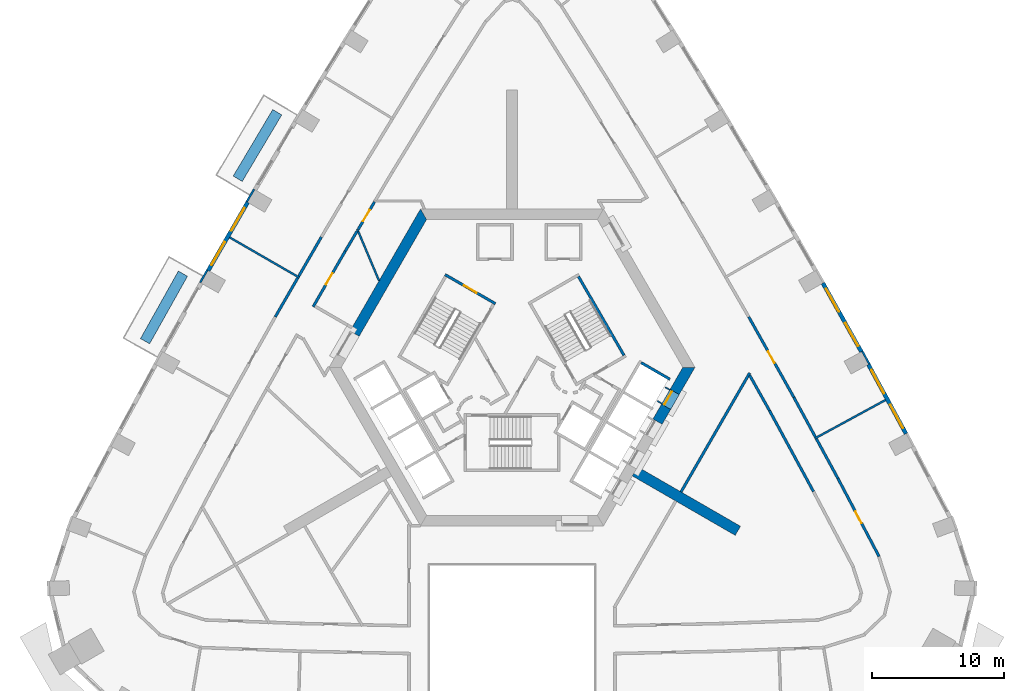
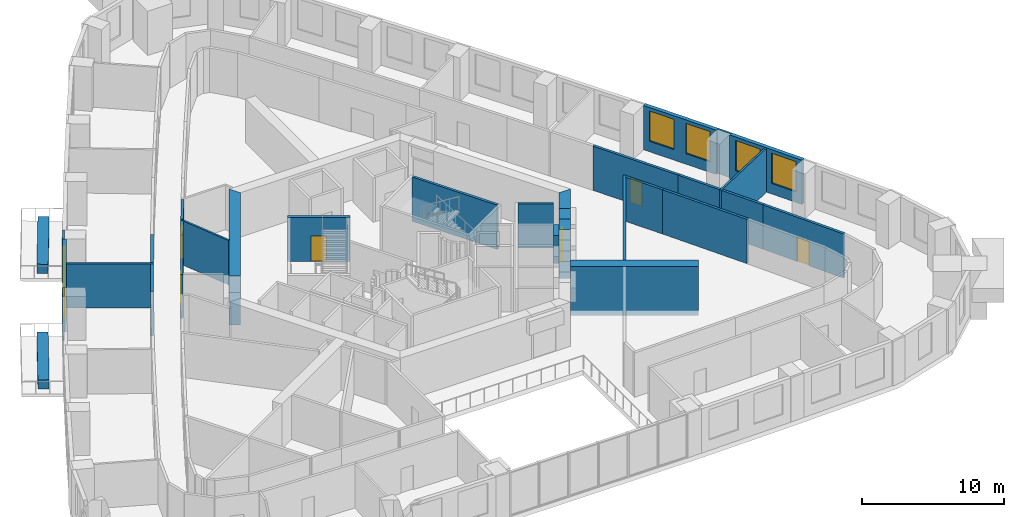
# One storey, part 8 of 15: 32 walls, 6 doors, 6 windows, 12 openings.
"""IFC4 building model written with IfcOpenShell, lengths in metres."""

from ifc_helpers import new_model, si_unit, direction, frame, frame_2d, origin, place, context, subcontext, project, spatial, polyline, rectangle, outline, extrude, material, layer, layer_set, type_object, element, fill, save


model = new_model("IFC4")

# Units and contexts
model_context = context("Model", 3, precision=1e-05, world=origin(), true_north=direction((0.0, 1.0)))
body_context = subcontext(model_context, "Body", "Model", "MODEL_VIEW")
ifc_project = project(units=[si_unit("LENGTHUNIT", "METRE"), si_unit("AREAUNIT", "SQUARE_METRE"), si_unit("VOLUMEUNIT", "CUBIC_METRE"), si_unit("PLANEANGLEUNIT", "RADIAN"), si_unit("MASSUNIT", "GRAM", prefix="KILO")], contexts=[model_context])

# Site, building, storey
site_placement = place(None, origin())
site = spatial("IfcSite", under=ifc_project, at=site_placement, CompositionType="ELEMENT")
building_placement = place(site_placement, origin())
building = spatial("IfcBuilding", under=site, at=building_placement, Name="Entoto Arch Interchange Tower", CompositionType="ELEMENT")
storey_placement = place(building_placement, frame((0.0, 0.0, 171.800048828125)))
storey = spatial("IfcBuildingStorey", under=building, at=storey_placement, Name="L38", CompositionType="ELEMENT", Elevation=171.800048828125)

# Walls
ifc_material_1 = material(Name="Concrete C50/60", Category="concrete")
ifc_layer_1 = layer(ifc_material_1, 0.800048828125)
ifc_layer_set_1 = layer_set([ifc_layer_1], Name="Concrete C50/60")
wall_type_1 = type_object("IfcWallType", Name="Buttress wall 800 C50/60", PredefinedType="SHEAR", material=ifc_layer_set_1)
wall_1_placement = place(storey_placement, frame((9.31005859375, -5.375, -0.400146484375), z_axis=(0.0, 0.0, 1.0), x_axis=(0.866017533419, -0.500013631625, 0.0)))
element("IfcWall", 1, at=wall_1_placement, inside=storey, type_object=wall_type_1, Name="Buttress wall SE L38", PredefinedType="SHEAR", context=body_context, shape_type="SweptSolid", body=[
    extrude(rectangle(XDim=8.999755859375, YDim=0.800048828125, at=frame_2d((4.5, 0.0))), origin(), (0.0, 0.0, 1.0), 4.2001953125),
])
ifc_layer_2 = layer(ifc_material_1, 0.800048828125)
ifc_layer_set_2 = layer_set([ifc_layer_2], Name="Concrete C50/60")
wall_type_2 = type_object("IfcWallType", Name="Core wall 800 C50/60", PredefinedType="SHEAR", material=ifc_layer_set_2)
wall_2_placement = place(storey_placement, frame((0.0, 0.0, -0.400146484375)))
element("IfcWall", 2, at=wall_2_placement, inside=storey, type_object=wall_type_2, Name="Core wall NW L38", PredefinedType="SHEAR", context=body_context, shape_type="SweptSolid", body=[
    extrude(outline(polyline([(-12.26708984375, 5.251953125), (-11.574951171875, 4.85205078125), (-6.466064453125, 13.699951171875), (-6.927978515625, 14.5), (-12.26708984375, 5.251953125)])), origin(), (0.0, 0.0, 1.0), 4.2001953125),
])
wall_3_placement = place(storey_placement, frame((0.0, 0.0, -0.400146484375)))
element("IfcWall", 3, at=wall_3_placement, inside=storey, type_object=wall_type_2, Name="Core wall SE L38", PredefinedType="SHEAR", context=body_context, shape_type="SweptSolid", body=[
    extrude(outline(polyline([(12.01708984375, -0.68603515625), (11.323974609375, -0.285888671875), (10.675048828125, -1.410888671875), (11.366943359375, -1.81103515625), (12.01708984375, -0.68603515625)])), origin(), (0.0, 0.0, 1.0), 4.2001953125),
])
wall_4_placement = place(storey_placement, frame((0.0, 0.0, -0.400146484375)))
element("IfcWall", 4, at=wall_4_placement, inside=storey, type_object=wall_type_2, Name="Core wall SE L38", PredefinedType="SHEAR", context=body_context, shape_type="SweptSolid", body=[
    extrude(outline(polyline([(11.97412109375, 0.840087890625), (12.6669921875, 0.43994140625), (13.85595703125, 2.5), (12.93310546875, 2.5), (11.97412109375, 0.840087890625)])), origin(), (0.0, 0.0, 1.0), 4.2001953125),
])
wall_5_placement = place(storey_placement, frame((0.0, 0.0, 3.599853515625)))
element("IfcWall", 5, at=wall_5_placement, inside=storey, type_object=wall_type_2, Name="Core wall lintel SE L38", PredefinedType="SHEAR", context=body_context, shape_type="SweptSolid", body=[
    extrude(outline(polyline([(12.6669921875, 0.43994140625), (11.97412109375, 0.840087890625), (11.323974609375, -0.285888671875), (12.01708984375, -0.68603515625), (12.6669921875, 0.43994140625)])), origin(), (0.0, 0.0, 1.0), 0.2001953125),
])

# Wall, opening, door
ifc_material_2 = material(Name="Concrete C40/50", Category="concrete")
ifc_layer_3 = layer(ifc_material_2, 1.199951171875)
ifc_layer_set_3 = layer_set([ifc_layer_3], Name="Concrete C40/50")
wall_type_3 = type_object("IfcWallType", Name="LIFT LANDING INFILL WALL", PredefinedType="STANDARD", material=ifc_layer_set_3)
wall_6_placement = place(storey_placement, frame((11.498046875, -0.385009765625, 0.0), z_axis=(0.0, 0.0, 1.0), x_axis=(0.500221244143, 0.865897630733, 0.0)))
wall_6 = element("IfcWall", 6, at=wall_6_placement, inside=storey, type_object=wall_type_3, Name="Lift landing infill wall LR8 L38", PredefinedType="STANDARD", context=body_context, shape_type="SweptSolid", body=[
    extrude(rectangle(XDim=1.29931640625, YDim=1.199951171875, at=frame_2d((0.649658203125, 0.0))), origin(), (0.0, 0.0, 1.0), 2.39990234375),
])
opening_1_placement = place(wall_6_placement, frame((0.10009765625, 0.0, 0.0)))
opening_1 = element("IfcOpeningElement", 7, at=opening_1_placement, cuts=wall_6, Name="Opening LD-LR8-L38", PredefinedType="OPENING", context=body_context, shape_type="SweptSolid", body=[
    extrude(rectangle(XDim=1.10009765625, YDim=2.300048828125, at=frame_2d((0.550048828125, 1.14990234375))), frame((0.0, 0.60986328125, 0.0), z_axis=(0.0, -1.0, 0.0), x_axis=(1.0, 0.0, 0.0)), (0.0, 0.0, 1.0), 1.219970703125),
])
ifc_material_3 = material(Name="Stainless steel 1.4301 panels", Category="steel")
door_type_1 = type_object("IfcDoorType", Name="LIFT LANDING DOOR LD2 1100x2300", OperationType="SLIDING_TO_LEFT", PredefinedType="DOOR", material=ifc_material_3)
door_1_placement = place(opening_1_placement, origin())
door_1 = element("IfcDoor", 8, at=door_1_placement, inside=storey, type_object=door_type_1, Name="Lift landing door LR8 L38", OperationType="SLIDING_TO_LEFT", OverallHeight=2.300048828125, OverallWidth=1.10009765625, PredefinedType="DOOR", context=body_context, shape_type="SweptSolid", body=[
    extrude(rectangle(XDim=1.10009765625, YDim=2.300048828125, at=frame_2d((0.550048828125, 1.14990234375))), frame((0.0, 0.02490234375, 0.0), z_axis=(0.0, -1.0, 0.0), x_axis=(1.0, 0.0, 0.0)), (0.0, 0.0, 1.0), 0.050048828125),
])
fill(opening_1, door_1)

# Walls
ifc_layer_4 = layer(ifc_material_2, 0.199951171875)
ifc_layer_set_4 = layer_set([ifc_layer_4], Name="Concrete C40/50")
wall_type_4 = type_object("IfcWallType", Name="LIFT SHAFT WALL 200", PredefinedType="STANDARD", material=ifc_layer_set_4)
wall_7_placement = place(storey_placement, frame((9.7880859375, 2.85302734375, 0.0), z_axis=(0.0, 0.0, 1.0), x_axis=(0.865998541277, -0.500046524342, 0.0)))
element("IfcWall", 9, at=wall_7_placement, inside=storey, type_object=wall_type_4, Name="Shaft wall SE3 cross 5", PredefinedType="STANDARD", context=body_context, shape_type="SweptSolid", body=[
    extrude(rectangle(XDim=2.499755859375, YDim=0.199951171875, at=frame_2d((1.25, 0.0))), origin(), (0.0, 0.0, 1.0), 3.800048828125),
])
ifc_material_4 = material(Name="Gypsum board partition on steel studs", Category="steel")
ifc_layer_5 = layer(ifc_material_4, 0.14990234375)
ifc_layer_set_5 = layer_set([ifc_layer_5], Name="Gypsum board partition on steel studs")
wall_type_5 = type_object("IfcWallType", Name="PARTITION 150", PredefinedType="PARTITIONING", material=ifc_layer_set_5)
wall_8_placement = place(storey_placement, frame((-10.068115234375, 9.06201171875, 0.0), z_axis=(0.0, 0.0, 1.0), x_axis=(-0.388992587102, 0.921240884448, 0.0)))
element("IfcWall", 10, at=wall_8_placement, inside=storey, type_object=wall_type_5, Name="wall:L38:p097", PredefinedType="PARTITIONING", context=body_context, shape_type="SweptSolid", body=[
    extrude(rectangle(XDim=4.257080078125, YDim=0.14990234375, at=frame_2d((2.12841796875, 0.0))), origin(), (0.0, 0.0, 1.0), 3.800048828125),
])
for number, where, z_axis, x_axis, name in (
    (11, (22.924072265625, -2.885009765625, 0.0), (0.0, 0.0, 1.0), (0.878512782244, 0.477718841406, 0.0), "wall:L38:p136"),
    (12, (-16.097900390625, 9.294921875, 0.0), (0.0, 0.0, 1.0), (-0.866109615698, 0.499854112313, 0.0), "wall:L38:p142"),
):
    element("IfcWall", number, at=place(storey_placement, frame(where, z_axis=z_axis, x_axis=x_axis)), inside=storey, type_object=wall_type_5, Name=name, PredefinedType="PARTITIONING", context=body_context, shape_type="SweptSolid", body=[
        extrude(rectangle(XDim=6.099853515625, YDim=0.14990234375, at=frame_2d((3.0498046875, 0.0))), origin(), (0.0, 0.0, 1.0), 3.800048828125),
    ])

# Wall, opening, door
ifc_layer_6 = layer(ifc_material_4, 0.199951171875)
ifc_layer_set_6 = layer_set([ifc_layer_6], Name="Gypsum board partition on steel studs")
wall_type_6 = type_object("IfcWallType", Name="PARTITION 200", PredefinedType="PARTITIONING", material=ifc_layer_set_6)
wall_9_placement = place(storey_placement, frame((-10.409912109375, 15.035888671875, 0.0), z_axis=(0.0, 0.0, 1.0), x_axis=(-0.510900085603, -0.859640100583, 0.0)))
wall_9 = element("IfcWall", 13, at=wall_9_placement, inside=storey, type_object=wall_type_6, Name="wall:L38:p001", PredefinedType="PARTITIONING", context=body_context, shape_type="SweptSolid", body=[
    extrude(rectangle(XDim=2.41943359375, YDim=0.199951171875, at=frame_2d((1.209716796875, 0.0))), origin(), (0.0, 0.0, 1.0), 3.800048828125),
])
opening_2_placement = place(wall_9_placement, frame((0.708984375, 0.0, 0.0)))
opening_2 = element("IfcOpeningElement", 14, at=opening_2_placement, cuts=wall_9, Name="Opening L38-D23", PredefinedType="OPENING", context=body_context, shape_type="SweptSolid", body=[
    extrude(rectangle(XDim=1.0, YDim=2.10009765625, at=frame_2d((0.5, 1.050048828125))), frame((0.0, 0.10986328125, 0.0), z_axis=(0.0, -1.0, 0.0), x_axis=(1.0, 0.0, 0.0)), (0.0, 0.0, 1.0), 0.219970703125),
])
ifc_material_5 = material(Name="Timber door leaf in Steel S235 frame", Category="steel")
door_type_2 = type_object("IfcDoorType", Name="DOOR DS-10 1000x2100", OperationType="SINGLE_SWING_LEFT", PredefinedType="DOOR", material=ifc_material_5)
door_2_placement = place(opening_2_placement, origin())
door_2 = element("IfcDoor", 15, at=door_2_placement, inside=storey, type_object=door_type_2, Name="door:L38:23", OperationType="SINGLE_SWING_LEFT", OverallHeight=2.10009765625, OverallWidth=1.0, PredefinedType="DOOR", context=body_context, shape_type="SweptSolid", body=[
    extrude(rectangle(XDim=1.0, YDim=2.10009765625, at=frame_2d((0.5, 1.050048828125))), frame((0.0, 0.02490234375, 0.0), z_axis=(0.0, -1.0, 0.0), x_axis=(1.0, 0.0, 0.0)), (0.0, 0.0, 1.0), 0.050048828125),
])
fill(opening_2, door_2)

# Wall
wall_10_placement = place(storey_placement, frame((-11.722900390625, 12.826904296875, 0.0), z_axis=(0.0, 0.0, 1.0), x_axis=(-0.511182890129, -0.859471961637, 0.0)))
element("IfcWall", 16, at=wall_10_placement, inside=storey, type_object=wall_type_6, Name="wall:L38:p002", PredefinedType="PARTITIONING", context=body_context, shape_type="SweptSolid", body=[
    extrude(rectangle(XDim=1.7685546875, YDim=0.199951171875, at=frame_2d((0.88427734375, 0.0))), origin(), (0.0, 0.0, 1.0), 3.800048828125),
])

# Wall, opening, door
wall_11_placement = place(storey_placement, frame((-12.626953125, 11.306884765625, 0.0), z_axis=(0.0, 0.0, 1.0), x_axis=(-0.499907870494, -0.866078588246, 0.0)))
wall_11 = element("IfcWall", 17, at=wall_11_placement, inside=storey, type_object=wall_type_6, Name="wall:L38:p003", PredefinedType="PARTITIONING", context=body_context, shape_type="SweptSolid", body=[
    extrude(rectangle(XDim=4.86328125, YDim=0.199951171875, at=frame_2d((2.431640625, 0.0))), origin(), (0.0, 0.0, 1.0), 3.800048828125),
])
opening_3_placement = place(wall_11_placement, frame((1.931884765625, 0.0, 0.0)))
opening_3 = element("IfcOpeningElement", 18, at=opening_3_placement, cuts=wall_11, Name="Opening L38-D24", PredefinedType="OPENING", context=body_context, shape_type="SweptSolid", body=[
    extrude(rectangle(XDim=1.0, YDim=2.10009765625, at=frame_2d((0.5, 1.050048828125))), frame((0.0, 0.10986328125, 0.0), z_axis=(0.0, -1.0, 0.0), x_axis=(1.0, 0.0, 0.0)), (0.0, 0.0, 1.0), 0.219970703125),
])
door_3_placement = place(opening_3_placement, origin())
door_3 = element("IfcDoor", 19, at=door_3_placement, inside=storey, type_object=door_type_2, Name="door:L38:24", OperationType="SINGLE_SWING_LEFT", OverallHeight=2.10009765625, OverallWidth=1.0, PredefinedType="DOOR", context=body_context, shape_type="SweptSolid", body=[
    extrude(rectangle(XDim=1.0, YDim=2.10009765625, at=frame_2d((0.5, 1.050048828125))), frame((0.0, 0.02490234375, 0.0), z_axis=(0.0, -1.0, 0.0), x_axis=(1.0, 0.0, 0.0)), (0.0, 0.0, 1.0), 0.050048828125),
])
fill(opening_3, door_3)

# Walls
wall_12_placement = place(storey_placement, frame((22.827880859375, -6.89697265625, 0.0), z_axis=(0.0, 0.0, 1.0), x_axis=(-0.477513909405, 0.878624189472, 0.0)))
element("IfcWall", 20, at=wall_12_placement, inside=storey, type_object=wall_type_6, Name="wall:L38:p025", PredefinedType="PARTITIONING", context=body_context, shape_type="SweptSolid", body=[
    extrude(rectangle(XDim=6.956298828125, YDim=0.199951171875, at=frame_2d((3.47802734375, 0.0))), origin(), (0.0, 0.0, 1.0), 3.800048828125),
])
wall_13_placement = place(storey_placement, frame((19.506103515625, -0.784912109375, 0.0), z_axis=(0.0, 0.0, 1.0), x_axis=(-0.489049603292, 0.872255974769, 0.0)))
element("IfcWall", 21, at=wall_13_placement, inside=storey, type_object=wall_type_6, Name="wall:L38:p026", PredefinedType="PARTITIONING", context=body_context, shape_type="SweptSolid", body=[
    extrude(rectangle(XDim=3.08154296875, YDim=0.199951171875, at=frame_2d((1.540771484375, 0.0))), origin(), (0.0, 0.0, 1.0), 3.800048828125),
])
wall_14_placement = place(storey_placement, frame((23.048095703125, -2.903076171875, 0.0), z_axis=(0.0, 0.0, 1.0), x_axis=(0.477470161865, -0.878647963936, 0.0)))
element("IfcWall", 22, at=wall_14_placement, inside=storey, type_object=wall_type_6, Name="wall:L38:p046", PredefinedType="PARTITIONING", context=body_context, shape_type="SweptSolid", body=[
    extrude(rectangle(XDim=3.417724609375, YDim=0.199951171875, at=frame_2d((1.708984375, 0.0))), origin(), (0.0, 0.0, 1.0), 3.800048828125),
])

# Wall, opening, door
wall_15_placement = place(storey_placement, frame((24.679931640625, -5.906005859375, 0.0), z_axis=(0.0, 0.0, 1.0), x_axis=(0.466450727507, -0.884547182918, 0.0)))
wall_15 = element("IfcWall", 23, at=wall_15_placement, inside=storey, type_object=wall_type_6, Name="wall:L38:p047", PredefinedType="PARTITIONING", context=body_context, shape_type="SweptSolid", body=[
    extrude(rectangle(XDim=6.684814453125, YDim=0.199951171875, at=frame_2d((3.34228515625, 0.0))), origin(), (0.0, 0.0, 1.0), 3.800048828125),
])
opening_4_placement = place(wall_15_placement, frame((2.842041015625, 0.0, 0.0)))
opening_4 = element("IfcOpeningElement", 24, at=opening_4_placement, cuts=wall_15, Name="Opening L38-D03", PredefinedType="OPENING", context=body_context, shape_type="SweptSolid", body=[
    extrude(rectangle(XDim=1.0, YDim=2.10009765625, at=frame_2d((0.5, 1.050048828125))), frame((0.0, 0.10986328125, 0.0), z_axis=(0.0, -1.0, 0.0), x_axis=(1.0, 0.0, 0.0)), (0.0, 0.0, 1.0), 0.219970703125),
])
door_4_placement = place(opening_4_placement, origin())
door_4 = element("IfcDoor", 25, at=door_4_placement, inside=storey, type_object=door_type_2, Name="door:L38:03", OperationType="SINGLE_SWING_LEFT", OverallHeight=2.10009765625, OverallWidth=1.0, PredefinedType="DOOR", context=body_context, shape_type="SweptSolid", body=[
    extrude(rectangle(XDim=1.0, YDim=2.10009765625, at=frame_2d((0.5, 1.050048828125))), frame((0.0, 0.02490234375, 0.0), z_axis=(0.0, -1.0, 0.0), x_axis=(1.0, 0.0, 0.0)), (0.0, 0.0, 1.0), 0.050048828125),
])
fill(opening_4, door_4)

wall_16_placement = place(storey_placement, frame((17.929931640625, 6.321044921875, 0.0), z_axis=(0.0, 0.0, 1.0), x_axis=(0.489044053781, -0.872259086202, 0.0)))
wall_16 = element("IfcWall", 26, at=wall_16_placement, inside=storey, type_object=wall_type_6, Name="wall:L38:p053", PredefinedType="PARTITIONING", context=body_context, shape_type="SweptSolid", body=[
    extrude(rectangle(XDim=6.983154296875, YDim=0.199951171875, at=frame_2d((3.49169921875, 0.0))), origin(), (0.0, 0.0, 1.0), 3.800048828125),
])
opening_5_placement = place(wall_16_placement, frame((2.990966796875, 0.0, 0.0)))
opening_5 = element("IfcOpeningElement", 27, at=opening_5_placement, cuts=wall_16, Name="Opening L38-D04", PredefinedType="OPENING", context=body_context, shape_type="SweptSolid", body=[
    extrude(rectangle(XDim=1.0, YDim=2.10009765625, at=frame_2d((0.5, 1.050048828125))), frame((0.0, 0.10986328125, 0.0), z_axis=(0.0, -1.0, 0.0), x_axis=(1.0, 0.0, 0.0)), (0.0, 0.0, 1.0), 0.219970703125),
])
door_5_placement = place(opening_5_placement, origin())
door_5 = element("IfcDoor", 28, at=door_5_placement, inside=storey, type_object=door_type_2, Name="door:L38:04", OperationType="SINGLE_SWING_LEFT", OverallHeight=2.10009765625, OverallWidth=1.0, PredefinedType="DOOR", context=body_context, shape_type="SweptSolid", body=[
    extrude(rectangle(XDim=1.0, YDim=2.10009765625, at=frame_2d((0.5, 1.050048828125))), frame((0.0, 0.02490234375, 0.0), z_axis=(0.0, -1.0, 0.0), x_axis=(1.0, 0.0, 0.0)), (0.0, 0.0, 1.0), 0.050048828125),
])
fill(opening_5, door_5)

# Walls
wall_17_placement = place(storey_placement, frame((21.344970703125, 0.22998046875, 0.0), z_axis=(0.0, 0.0, 1.0), x_axis=(0.477544508622, -0.878607558746, 0.0)))
element("IfcWall", 29, at=wall_17_placement, inside=storey, type_object=wall_type_6, Name="wall:L38:p054", PredefinedType="PARTITIONING", context=body_context, shape_type="SweptSolid", body=[
    extrude(rectangle(XDim=3.41552734375, YDim=0.199951171875, at=frame_2d((1.707763671875, 0.0))), origin(), (0.0, 0.0, 1.0), 3.800048828125),
])
wall_18_placement = place(storey_placement, frame((-16.14697265625, 9.409912109375, 0.0), z_axis=(0.0, 0.0, 1.0), x_axis=(0.500044178772, 0.865999895656, 0.0)))
element("IfcWall", 30, at=wall_18_placement, inside=storey, type_object=wall_type_6, Name="wall:L38:p065", PredefinedType="PARTITIONING", context=body_context, shape_type="SweptSolid", body=[
    extrude(rectangle(XDim=3.415771484375, YDim=0.199951171875, at=frame_2d((1.7080078125, 0.0))), origin(), (0.0, 0.0, 1.0), 3.800048828125),
])
wall_19_placement = place(storey_placement, frame((-17.929931640625, 6.321044921875, 0.0), z_axis=(0.0, 0.0, 1.0), x_axis=(0.499920397431, 0.866071357471, 0.0)))
element("IfcWall", 31, at=wall_19_placement, inside=storey, type_object=wall_type_6, Name="wall:L38:p069", PredefinedType="PARTITIONING", context=body_context, shape_type="SweptSolid", body=[
    extrude(rectangle(XDim=3.41650390625, YDim=0.199951171875, at=frame_2d((1.708251953125, 0.0))), origin(), (0.0, 0.0, 1.0), 3.800048828125),
])
wall_20_placement = place(storey_placement, frame((18.0, 2.076904296875, 0.0), z_axis=(0.0, 0.0, 1.0), x_axis=(-0.499959557847, -0.866048751813, 0.0)))
element("IfcWall", 32, at=wall_20_placement, inside=storey, type_object=wall_type_6, Name="wall:L38:p121", PredefinedType="PARTITIONING", context=body_context, shape_type="SweptSolid", body=[
    extrude(rectangle(XDim=10.398681640625, YDim=0.199951171875, at=frame_2d((5.19921875, 0.0))), origin(), (0.0, 0.0, 1.0), 3.800048828125),
])
ifc_material_6 = material(Name="Board-marked precast concrete C50/60", Category="concrete")
ifc_layer_7 = layer(ifc_material_6, 0.800048828125)
ifc_layer_set_7 = layer_set([ifc_layer_7], Name="Board-marked precast concrete C50/60")
wall_type_7 = type_object("IfcWallType", Name="PLANTER RC 800 Juniperus procera", PredefinedType="STANDARD", material=ifc_layer_set_7)
wall_21_placement = place(storey_placement, frame((-24.9208984375, 9.596923828125, 0.0), z_axis=(0.0, 0.0, 1.0), x_axis=(-0.489036967821, -0.872263059005, 0.0)))
element("IfcWall", 33, at=wall_21_placement, inside=storey, type_object=wall_type_7, Name="Planter NW-05 L38", PredefinedType="STANDARD", context=body_context, shape_type="SweptSolid", body=[
    extrude(rectangle(XDim=5.863037109375, YDim=0.800048828125, at=frame_2d((2.931640625, 0.0))), origin(), (0.0, 0.0, 1.0), 0.800048828125),
])
ifc_layer_8 = layer(ifc_material_6, 0.800048828125)
ifc_layer_set_8 = layer_set([ifc_layer_8], Name="Board-marked precast concrete C50/60")
wall_type_8 = type_object("IfcWallType", Name="PLANTER RC 800 Vachellia abyssinica", PredefinedType="STANDARD", material=ifc_layer_set_8)
wall_22_placement = place(storey_placement, frame((-17.77587890625, 21.823974609375, 0.0), z_axis=(0.0, 0.0, 1.0), x_axis=(-0.510988922218, -0.85958729712, 0.0)))
element("IfcWall", 34, at=wall_22_placement, inside=storey, type_object=wall_type_8, Name="Planter NW-03 L38", PredefinedType="STANDARD", context=body_context, shape_type="SweptSolid", body=[
    extrude(rectangle(XDim=5.86328125, YDim=0.800048828125, at=frame_2d((2.931640625, 0.0))), origin(), (0.0, 0.0, 1.0), 0.800048828125),
])
ifc_layer_9 = layer(ifc_material_2, 0.199951171875)
ifc_layer_set_9 = layer_set([ifc_layer_9], Name="Concrete C40/50")
wall_type_9 = type_object("IfcWallType", Name="STAIR ENCLOSURE WALL 200", PredefinedType="STANDARD", material=ifc_layer_set_9)
wall_23_placement = place(storey_placement, frame((8.47998046875, 3.412109375, 0.0), z_axis=(0.0, 0.0, 1.0), x_axis=(-0.499978703459, 0.866037698999, 0.0)))
element("IfcWall", 35, at=wall_23_placement, inside=storey, type_object=wall_type_9, Name="Stair wall ST-NE back", PredefinedType="STANDARD", context=body_context, shape_type="SweptSolid", body=[
    extrude(rectangle(XDim=6.900146484375, YDim=0.199951171875, at=frame_2d((3.4501953125, 0.0))), origin(), (0.0, 0.0, 1.0), 3.800048828125),
])

# Wall, opening, door
wall_24_placement = place(storey_placement, frame((-1.256103515625, 7.323974609375, 0.0), z_axis=(0.0, 0.0, 1.0), x_axis=(-0.866046073146, 0.499964197906, 0.0)))
wall_24 = element("IfcWall", 36, at=wall_24_placement, inside=storey, type_object=wall_type_9, Name="Stair wall ST-NW near", PredefinedType="STANDARD", context=body_context, shape_type="SweptSolid", body=[
    extrude(rectangle(XDim=4.400146484375, YDim=0.199951171875, at=frame_2d((2.2001953125, 0.0))), origin(), (0.0, 0.0, 1.0), 3.800048828125),
])
opening_6_placement = place(wall_24_placement, frame((1.64990234375, 0.0, 0.0)))
opening_6 = element("IfcOpeningElement", 37, at=opening_6_placement, cuts=wall_24, Name="Opening SD-ST-NW-L38-E", PredefinedType="OPENING", context=body_context, shape_type="SweptSolid", body=[
    extrude(rectangle(XDim=1.10009765625, YDim=2.199951171875, at=frame_2d((0.550048828125, 1.10009765625))), frame((0.0, 0.10986328125, 0.0), z_axis=(0.0, -1.0, 0.0), x_axis=(1.0, 0.0, 0.0)), (0.0, 0.0, 1.0), 0.219970703125),
])
ifc_material_7 = material(Name="Steel S235", Category="steel")
door_type_3 = type_object("IfcDoorType", Name="STAIR DOOR SD1 1100x2200", OperationType="SINGLE_SWING_LEFT", PredefinedType="DOOR", material=ifc_material_7)
door_6_placement = place(opening_6_placement, origin())
door_6 = element("IfcDoor", 38, at=door_6_placement, inside=storey, type_object=door_type_3, Name="Stair door ST-NW L38 end", OperationType="SINGLE_SWING_LEFT", OverallHeight=2.199951171875, OverallWidth=1.10009765625, PredefinedType="DOOR", context=body_context, shape_type="SweptSolid", body=[
    extrude(rectangle(XDim=1.10009765625, YDim=2.199951171875, at=frame_2d((0.550048828125, 1.10009765625))), frame((0.0, 0.02490234375, 0.0), z_axis=(0.0, -1.0, 0.0), x_axis=(1.0, 0.0, 0.0)), (0.0, 0.0, 1.0), 0.050048828125),
])
fill(opening_6, door_6)

# Wall, openings, windows
ifc_material_8 = material(Name="Welded tuff (ignimbrite) cladding, warm buff", Category="masonry")
ifc_layer_10 = layer(ifc_material_8, 0.300048828125)
ifc_layer_set_10 = layer_set([ifc_layer_10], Name="Welded tuff (ignimbrite) cladding, warm buff")
wall_type_10 = type_object("IfcWallType", Name="STONE INFILL WALL 300", PredefinedType="STANDARD", material=ifc_layer_set_10)
wall_25_placement = place(storey_placement, frame((29.839111328125, -2.52001953125, 0.0), z_axis=(0.0, 0.0, 1.0), x_axis=(-0.477555226268, 0.878601733361, 0.0)))
wall_25 = element("IfcWall", 39, at=wall_25_placement, inside=storey, type_object=wall_type_10, Name="Facade wall NE-02 L38", PredefinedType="STANDARD", context=body_context, shape_type="SweptSolid", body=[
    extrude(rectangle(XDim=5.964111328125, YDim=0.300048828125, at=frame_2d((2.98193359375, 0.0))), origin(), (0.0, 0.0, 1.0), 3.800048828125),
])
opening_7_placement = place(wall_25_placement, frame((0.490966796875, 0.0, 0.89990234375)))
opening_7 = element("IfcOpeningElement", 40, at=opening_7_placement, cuts=wall_25, Name="Opening WO-C", PredefinedType="OPENING", context=body_context, shape_type="SweptSolid", body=[
    extrude(rectangle(XDim=2.0, YDim=2.60009765625, at=frame_2d((1.0, 1.300048828125))), frame((0.0, 0.16015625, 0.0), z_axis=(0.0, -1.0, 0.0), x_axis=(1.0, 0.0, 0.0)), (0.0, 0.0, 1.0), 0.320068359375),
])
opening_8_placement = place(wall_25_placement, frame((3.472900390625, 0.0, 0.89990234375)))
opening_8 = element("IfcOpeningElement", 41, at=opening_8_placement, cuts=wall_25, Name="Opening WO-C", PredefinedType="OPENING", context=body_context, shape_type="SweptSolid", body=[
    extrude(rectangle(XDim=2.0, YDim=2.60009765625, at=frame_2d((1.0, 1.300048828125))), frame((0.0, 0.16015625, 0.0), z_axis=(0.0, -1.0, 0.0), x_axis=(1.0, 0.0, 0.0)), (0.0, 0.0, 1.0), 0.320068359375),
])
ifc_material_9 = material(Name="Clear glass, low-e double glazed", Category="glass")
window_type = type_object("IfcWindowType", Name="WINDOW WO-C 2000x2600", PartitioningType="DOUBLE_PANEL_VERTICAL", PredefinedType="WINDOW", material=ifc_material_9)
window_1_placement = place(opening_7_placement, origin())
window_1 = element("IfcWindow", 42, at=window_1_placement, inside=storey, type_object=window_type, Name="Window WO-C NE-02 L38", OverallHeight=2.60009765625, OverallWidth=2.0, PartitioningType="SINGLE_PANEL", PredefinedType="WINDOW", context=body_context, shape_type="SweptSolid", body=[
    extrude(rectangle(XDim=2.0, YDim=2.60009765625, at=frame_2d((1.0, 1.300048828125))), frame((0.0, 0.030029296875, 0.0), z_axis=(0.0, -1.0, 0.0), x_axis=(1.0, 0.0, 0.0)), (0.0, 0.0, 1.0), 0.06005859375),
])
fill(opening_7, window_1)
window_2_placement = place(opening_8_placement, origin())
window_2 = element("IfcWindow", 43, at=window_2_placement, inside=storey, type_object=window_type, Name="Window WO-C NE-02 L38", OverallHeight=2.60009765625, OverallWidth=2.0, PartitioningType="SINGLE_PANEL", PredefinedType="WINDOW", context=body_context, shape_type="SweptSolid", body=[
    extrude(rectangle(XDim=2.0, YDim=2.60009765625, at=frame_2d((1.0, 1.300048828125))), frame((0.0, 0.030029296875, 0.0), z_axis=(0.0, -1.0, 0.0), x_axis=(1.0, 0.0, 0.0)), (0.0, 0.0, 1.0), 0.06005859375),
])
fill(opening_8, window_2)

wall_26_placement = place(storey_placement, frame((26.4599609375, 3.681884765625, 0.0), z_axis=(0.0, 0.0, 1.0), x_axis=(-0.489032196971, 0.87226573378, 0.0)))
wall_26 = element("IfcWall", 44, at=wall_26_placement, inside=storey, type_object=wall_type_10, Name="Facade wall NE-03 L38", PredefinedType="STANDARD", context=body_context, shape_type="SweptSolid", body=[
    extrude(rectangle(XDim=5.962890625, YDim=0.300048828125, at=frame_2d((2.9814453125, 0.0))), origin(), (0.0, 0.0, 1.0), 3.800048828125),
])
opening_9_placement = place(wall_26_placement, frame((0.490966796875, 0.0, 0.89990234375)))
opening_9 = element("IfcOpeningElement", 45, at=opening_9_placement, cuts=wall_26, Name="Opening WO-C", PredefinedType="OPENING", context=body_context, shape_type="SweptSolid", body=[
    extrude(rectangle(XDim=2.0, YDim=2.60009765625, at=frame_2d((1.0, 1.300048828125))), frame((0.0, 0.16015625, 0.0), z_axis=(0.0, -1.0, 0.0), x_axis=(1.0, 0.0, 0.0)), (0.0, 0.0, 1.0), 0.320068359375),
])
opening_10_placement = place(wall_26_placement, frame((3.471923828125, 0.0, 0.89990234375)))
opening_10 = element("IfcOpeningElement", 46, at=opening_10_placement, cuts=wall_26, Name="Opening WO-C", PredefinedType="OPENING", context=body_context, shape_type="SweptSolid", body=[
    extrude(rectangle(XDim=2.0, YDim=2.60009765625, at=frame_2d((1.0, 1.300048828125))), frame((0.0, 0.16015625, 0.0), z_axis=(0.0, -1.0, 0.0), x_axis=(1.0, 0.0, 0.0)), (0.0, 0.0, 1.0), 0.320068359375),
])
window_3_placement = place(opening_9_placement, origin())
window_3 = element("IfcWindow", 47, at=window_3_placement, inside=storey, type_object=window_type, Name="Window WO-C NE-03 L38", OverallHeight=2.60009765625, OverallWidth=2.0, PartitioningType="SINGLE_PANEL", PredefinedType="WINDOW", context=body_context, shape_type="SweptSolid", body=[
    extrude(rectangle(XDim=2.0, YDim=2.60009765625, at=frame_2d((1.0, 1.300048828125))), frame((0.0, 0.030029296875, 0.0), z_axis=(0.0, -1.0, 0.0), x_axis=(1.0, 0.0, 0.0)), (0.0, 0.0, 1.0), 0.06005859375),
])
fill(opening_9, window_3)
window_4_placement = place(opening_10_placement, origin())
window_4 = element("IfcWindow", 48, at=window_4_placement, inside=storey, type_object=window_type, Name="Window WO-C NE-03 L38", OverallHeight=2.60009765625, OverallWidth=2.0, PartitioningType="SINGLE_PANEL", PredefinedType="WINDOW", context=body_context, shape_type="SweptSolid", body=[
    extrude(rectangle(XDim=2.0, YDim=2.60009765625, at=frame_2d((1.0, 1.300048828125))), frame((0.0, 0.030029296875, 0.0), z_axis=(0.0, -1.0, 0.0), x_axis=(1.0, 0.0, 0.0)), (0.0, 0.0, 1.0), 0.06005859375),
])
fill(opening_10, window_4)

wall_27_placement = place(storey_placement, frame((-20.02001953125, 15.001953125, 0.0), z_axis=(0.0, 0.0, 1.0), x_axis=(-0.49986421087, -0.866103787482, 0.0)))
wall_27 = element("IfcWall", 49, at=wall_27_placement, inside=storey, type_object=wall_type_10, Name="Facade wall NW-04 L38", PredefinedType="STANDARD", context=body_context, shape_type="SweptSolid", body=[
    extrude(rectangle(XDim=5.963623046875, YDim=0.300048828125, at=frame_2d((2.98193359375, 0.0))), origin(), (0.0, 0.0, 1.0), 3.800048828125),
])
opening_11_placement = place(wall_27_placement, frame((0.490966796875, 0.0, 0.89990234375)))
opening_11 = element("IfcOpeningElement", 50, at=opening_11_placement, cuts=wall_27, Name="Opening WO-C", PredefinedType="OPENING", context=body_context, shape_type="SweptSolid", body=[
    extrude(rectangle(XDim=2.0, YDim=2.60009765625, at=frame_2d((1.0, 1.300048828125))), frame((0.0, 0.16015625, 0.0), z_axis=(0.0, -1.0, 0.0), x_axis=(1.0, 0.0, 0.0)), (0.0, 0.0, 1.0), 0.320068359375),
])
opening_12_placement = place(wall_27_placement, frame((3.472900390625, 0.0, 0.89990234375)))
opening_12 = element("IfcOpeningElement", 51, at=opening_12_placement, cuts=wall_27, Name="Opening WO-C", PredefinedType="OPENING", context=body_context, shape_type="SweptSolid", body=[
    extrude(rectangle(XDim=2.0, YDim=2.60009765625, at=frame_2d((1.0, 1.300048828125))), frame((0.0, 0.16015625, 0.0), z_axis=(0.0, -1.0, 0.0), x_axis=(1.0, 0.0, 0.0)), (0.0, 0.0, 1.0), 0.320068359375),
])
window_5_placement = place(opening_11_placement, origin())
window_5 = element("IfcWindow", 52, at=window_5_placement, inside=storey, type_object=window_type, Name="Window WO-C NW-04 L38", OverallHeight=2.60009765625, OverallWidth=2.0, PartitioningType="SINGLE_PANEL", PredefinedType="WINDOW", context=body_context, shape_type="SweptSolid", body=[
    extrude(rectangle(XDim=2.0, YDim=2.60009765625, at=frame_2d((1.0, 1.300048828125))), frame((0.0, 0.030029296875, 0.0), z_axis=(0.0, -1.0, 0.0), x_axis=(1.0, 0.0, 0.0)), (0.0, 0.0, 1.0), 0.06005859375),
])
fill(opening_11, window_5)
window_6_placement = place(opening_12_placement, origin())
window_6 = element("IfcWindow", 53, at=window_6_placement, inside=storey, type_object=window_type, Name="Window WO-C NW-04 L38", OverallHeight=2.60009765625, OverallWidth=2.0, PartitioningType="SINGLE_PANEL", PredefinedType="WINDOW", context=body_context, shape_type="SweptSolid", body=[
    extrude(rectangle(XDim=2.0, YDim=2.60009765625, at=frame_2d((1.0, 1.300048828125))), frame((0.0, 0.030029296875, 0.0), z_axis=(0.0, -1.0, 0.0), x_axis=(1.0, 0.0, 0.0)), (0.0, 0.0, 1.0), 0.06005859375),
])
fill(opening_12, window_6)

# Walls
ifc_layer_11 = layer(ifc_material_8, 0.14990234375)
ifc_layer_set_11 = layer_set([ifc_layer_11], Name="Welded tuff (ignimbrite) cladding, warm buff")
wall_type_11 = type_object("IfcWallType", Name="STONE PIER CLADDING 150", PredefinedType="STANDARD", material=ifc_layer_set_11)
wall_28_placement = place(storey_placement, frame((27.05908203125, 2.757080078125, 0.0), z_axis=(0.0, 0.0, 1.0), x_axis=(-0.481850587491, 0.876253394478, 0.0)))
element("IfcWall", 54, at=wall_28_placement, inside=storey, type_object=wall_type_11, Name="Stone pier NE03 L38", PredefinedType="STANDARD", context=body_context, shape_type="SweptSolid", body=[
    extrude(rectangle(XDim=1.10009765625, YDim=0.14990234375, at=frame_2d((0.550048828125, 0.0))), origin(), (0.0, 0.0, 1.0), 3.800048828125),
])
wall_29_placement = place(storey_placement, frame((-19.531982421875, 15.989013671875, 0.0), z_axis=(0.0, 0.0, 1.0), x_axis=(-0.50667077411, -0.862139621327, 0.0)))
element("IfcWall", 55, at=wall_29_placement, inside=storey, type_object=wall_type_11, Name="Stone pier NW04 L38", PredefinedType="STANDARD", context=body_context, shape_type="SweptSolid", body=[
    extrude(rectangle(XDim=1.099609375, YDim=0.14990234375, at=frame_2d((0.5498046875, 0.0))), origin(), (0.0, 0.0, 1.0), 3.800048828125),
])
wall_30_placement = place(storey_placement, frame((-23.069091796875, 9.876953125, 0.0), z_axis=(0.0, 0.0, 1.0), x_axis=(-0.494512685492, -0.869170411305, 0.0)))
element("IfcWall", 56, at=wall_30_placement, inside=storey, type_object=wall_type_11, Name="Stone pier NW05 L38", PredefinedType="STANDARD", context=body_context, shape_type="SweptSolid", body=[
    extrude(rectangle(XDim=1.099853515625, YDim=0.14990234375, at=frame_2d((0.5498046875, 0.0))), origin(), (0.0, 0.0, 1.0), 3.800048828125),
])

save(model, "model.ifc")
